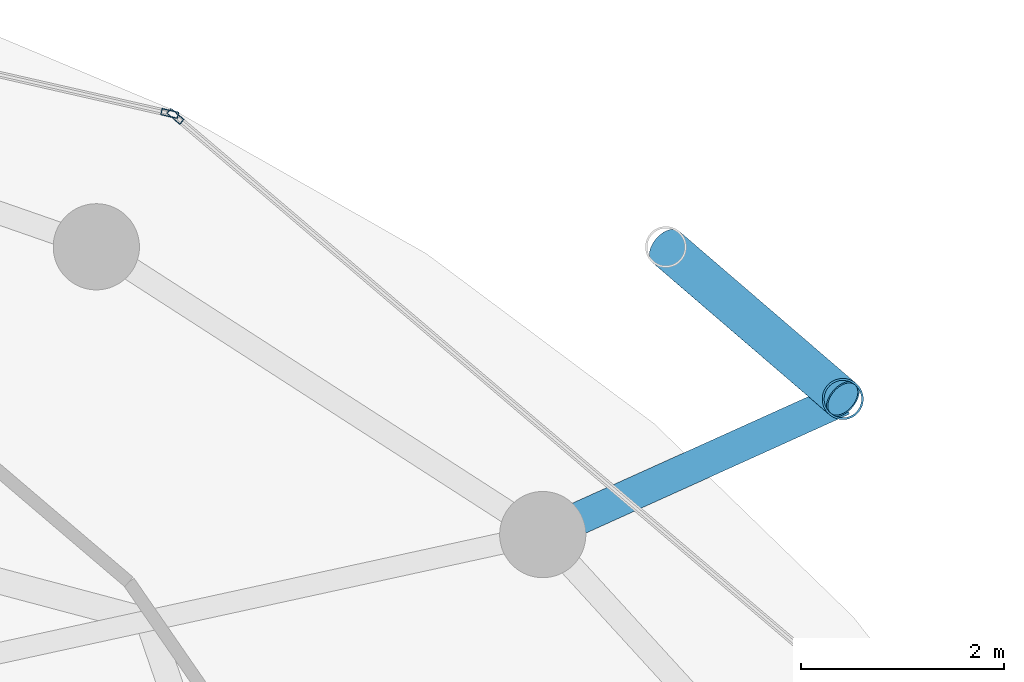
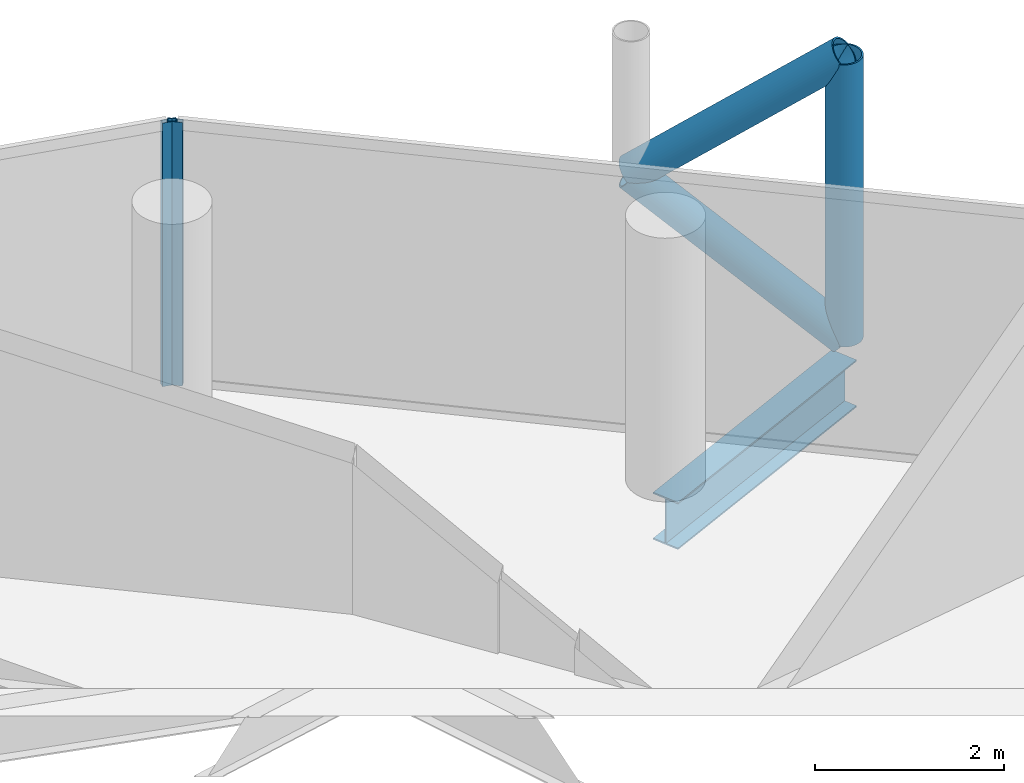
# One storey, part 21 of 27: 5 members, 1 beam, 2 elements without a shape of their own.
"""IFC4 building model written with IfcOpenShell, lengths in metres."""

from ifc_helpers import new_model, si_unit, direction, frame, origin, origin_2d, place, context, subcontext, project, spatial, hollow_rectangle, hollow_circle, i_section, extrude, material, layer, layer_set, material_profile, profile_set, type_object, element, aggregate, save


model = new_model("IFC4")

# Units and contexts
model_context = context("Model", 3, precision=1e-05, world=origin(), true_north=direction((0.0, 1.0)))
body_context = subcontext(model_context, "Body", "Model", "MODEL_VIEW")
ifc_project = project(units=[si_unit("LENGTHUNIT", "METRE"), si_unit("AREAUNIT", "SQUARE_METRE"), si_unit("VOLUMEUNIT", "CUBIC_METRE"), si_unit("PLANEANGLEUNIT", "RADIAN"), si_unit("MASSUNIT", "GRAM", prefix="KILO")], contexts=[model_context])

# Site, building, storey
site_placement = place(None, origin())
site = spatial("IfcSite", under=ifc_project, at=site_placement, CompositionType="ELEMENT")
building_placement = place(site_placement, origin())
building = spatial("IfcBuilding", under=site, at=building_placement, Name="Nuhasar Tower", CompositionType="ELEMENT")
storey_placement = place(building_placement, frame((0.0, 0.0, 230.050048828125)))
storey = spatial("IfcBuildingStorey", under=building, at=storey_placement, Name="L56", CompositionType="ELEMENT", Elevation=230.050048828125)

# Beam
ifc_material_1 = material(Name="Steel S355", Category="steel")
ifc_material_profile_1 = material_profile(ifc_material_1, i_section(OverallWidth=0.323974609375, OverallDepth=0.611083984375, WebThickness=0.0126953125, FlangeThickness=0.01904296875, at=origin_2d()), Name="W24X104")
ifc_profile_set_1 = profile_set([ifc_material_profile_1], Name="Steel S355")
beam_type = type_object("IfcBeamType", Name="BM-TIE-W24X104", PredefinedType="BEAM", material=ifc_profile_set_1)
beam_placement = place(storey_placement, frame((54.02587890625, 39.422119140625, -0.545166015625), z_axis=(0.911363318082, 0.411602845538, 0.0), x_axis=(-0.411602845538, 0.911363318082, 0.0)))
element("IfcBeam", 1, at=beam_placement, inside=storey, type_object=beam_type, Name="L56 Exoskeleton Node Tie Beam 02", PredefinedType="BEAM", context=body_context, shape_type="SweptSolid", body=[
    extrude(i_section(OverallWidth=0.323974609375, OverallDepth=0.611083984375, WebThickness=0.0126953125, FlangeThickness=0.01904296875, at=origin_2d()), origin(), (0.0, 0.0, 1.0), 3.24560546875),
])

# Curtain wall, member
ifc_material_2 = material(Name="Aluminium 6063-T6", Category="aluminium")
ifc_layer = layer(ifc_material_2, 0.18994140625)
ifc_layer_set = layer_set([ifc_layer], Name="Aluminium 6063-T6")
curtain_wall_type = type_object("IfcCurtainWallType", Name="CW-Z3-RES", PredefinedType="NOTDEFINED", material=ifc_layer_set)
curtain_wall_1_placement = place(storey_placement, origin())
curtain_wall_1 = element("IfcCurtainWall", 2, at=curtain_wall_1_placement, inside=storey, type_object=curtain_wall_type, Name="L56 Unitised Curtain Wall 02", PredefinedType="NOTDEFINED")
ifc_material_profile_2 = material_profile(ifc_material_2, hollow_rectangle(XDim=0.06494140625, YDim=0.169921875, WallThickness=0.0048828125, at=origin_2d()), Name="CWM-4")
ifc_profile_set_2 = profile_set([ifc_material_profile_2], Name="Aluminium 6063-T6")
member_type_1 = type_object("IfcMemberType", Name="CW-MUL-S4", PredefinedType="MULLION", material=ifc_profile_set_2)
member_1_placement = place(storey_placement, frame((50.40478515625, 43.544921875, 0.0), z_axis=(0.0, 0.0, 1.0), x_axis=(-0.64789521578, -0.761729472562, 0.0)))
member_1 = element("IfcMember", 3, at=member_1_placement, type_object=member_type_1, Name="CW-Z3 mullion 2", PredefinedType="MULLION", context=body_context, shape_type="SweptSolid", body=[
    extrude(hollow_rectangle(XDim=0.06494140625, YDim=0.169921875, WallThickness=0.0048828125, at=origin_2d()), origin(), (0.0, 0.0, 1.0), 3.409912109375),
])
aggregate(curtain_wall_1, [member_1])

curtain_wall_2_placement = place(storey_placement, origin())
curtain_wall_2 = element("IfcCurtainWall", 4, at=curtain_wall_2_placement, inside=storey, type_object=curtain_wall_type, Name="L56 Unitised Curtain Wall 03", PredefinedType="NOTDEFINED")
member_2_placement = place(storey_placement, frame((50.348388671875, 43.5732421875, 0.0), z_axis=(0.0, 0.0, 1.0), x_axis=(-0.222243176313, -0.974991266926, 0.0)))
member_2 = element("IfcMember", 5, at=member_2_placement, type_object=member_type_1, Name="CW-Z3 mullion 1", PredefinedType="MULLION", context=body_context, shape_type="SweptSolid", body=[
    extrude(hollow_rectangle(XDim=0.06494140625, YDim=0.169921875, WallThickness=0.0048828125, at=origin_2d()), origin(), (0.0, 0.0, 1.0), 3.409912109375),
])
aggregate(curtain_wall_2, [member_2])

# Members
ifc_material_3 = material(Name="Steel S460", Category="steel")
ifc_material_profile_3 = material_profile(ifc_material_3, hollow_circle(Radius=0.203125, WallThickness=0.01904296875, at=origin_2d()), Name="HSS406.4X19.1")
ifc_profile_set_3 = profile_set([ifc_material_profile_3], Name="Steel S460")
member_type_2 = type_object("IfcMemberType", Name="EXO-BRONZE-406", PredefinedType="BRACE", material=ifc_profile_set_3)
member_3_placement = place(storey_placement, frame((56.98388671875, 40.758056640625, 0.0), z_axis=(0.0, 0.0, 1.0), x_axis=(1.0, 0.0, 0.0)))
element("IfcMember", 6, at=member_3_placement, inside=storey, type_object=member_type_2, Name="L56 Exoskeleton Chord Column EC-02A", PredefinedType="BRACE", context=body_context, shape_type="SweptSolid", body=[
    extrude(hollow_circle(Radius=0.203125, WallThickness=0.01904296875, at=origin_2d()), origin(), (0.0, 0.0, 1.0), 3.64990234375),
])
for number, where, z_axis, x_axis, name in (
    (7, (56.98388671875, 40.758056640625, 0.0), (-0.594018535389, 0.510608120858, 0.621627964725), (-0.65185738425, -0.758341579104, 0.0), "L56 Bronze Diagrid Brace W1-02"),
    (8, (55.239990234375, 42.257080078125, 1.824951171875), (0.594018535389, -0.510608120858, 0.621627964725), (0.65185738425, 0.758341579104, 0.0), "L56 Bronze Diagrid Brace W2-02"),
):
    element("IfcMember", number, at=place(storey_placement, frame(where, z_axis=z_axis, x_axis=x_axis)), inside=storey, type_object=member_type_2, Name=name, PredefinedType="BRACE", context=body_context, shape_type="SweptSolid", body=[
        extrude(hollow_circle(Radius=0.203125, WallThickness=0.01904296875, at=origin_2d()), origin(), (0.0, 0.0, 1.0), 2.935791015625),
    ])

save(model, "model.ifc")
